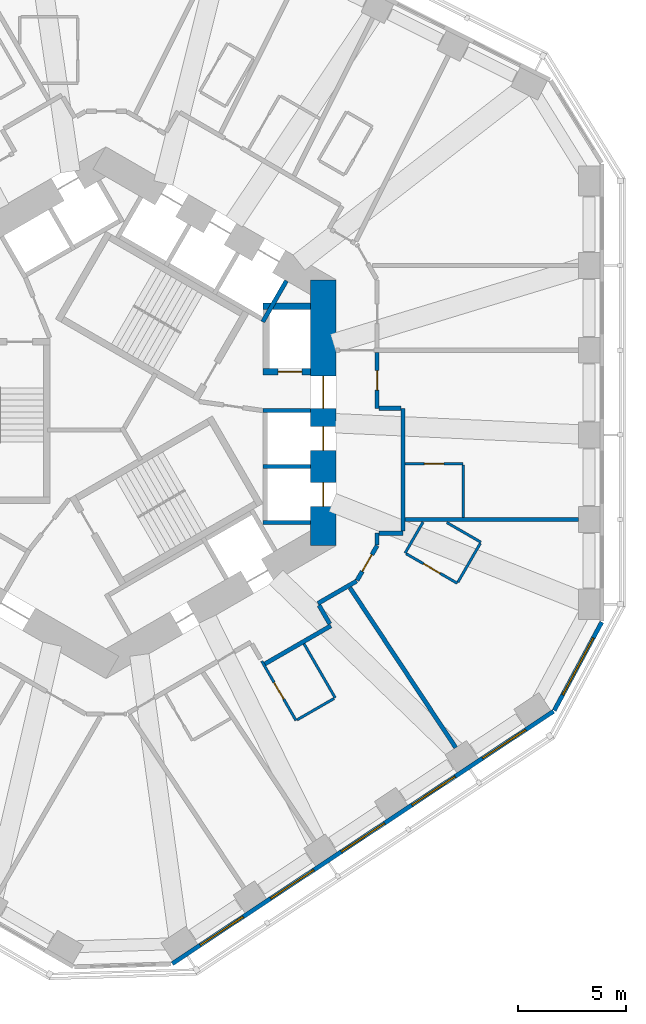
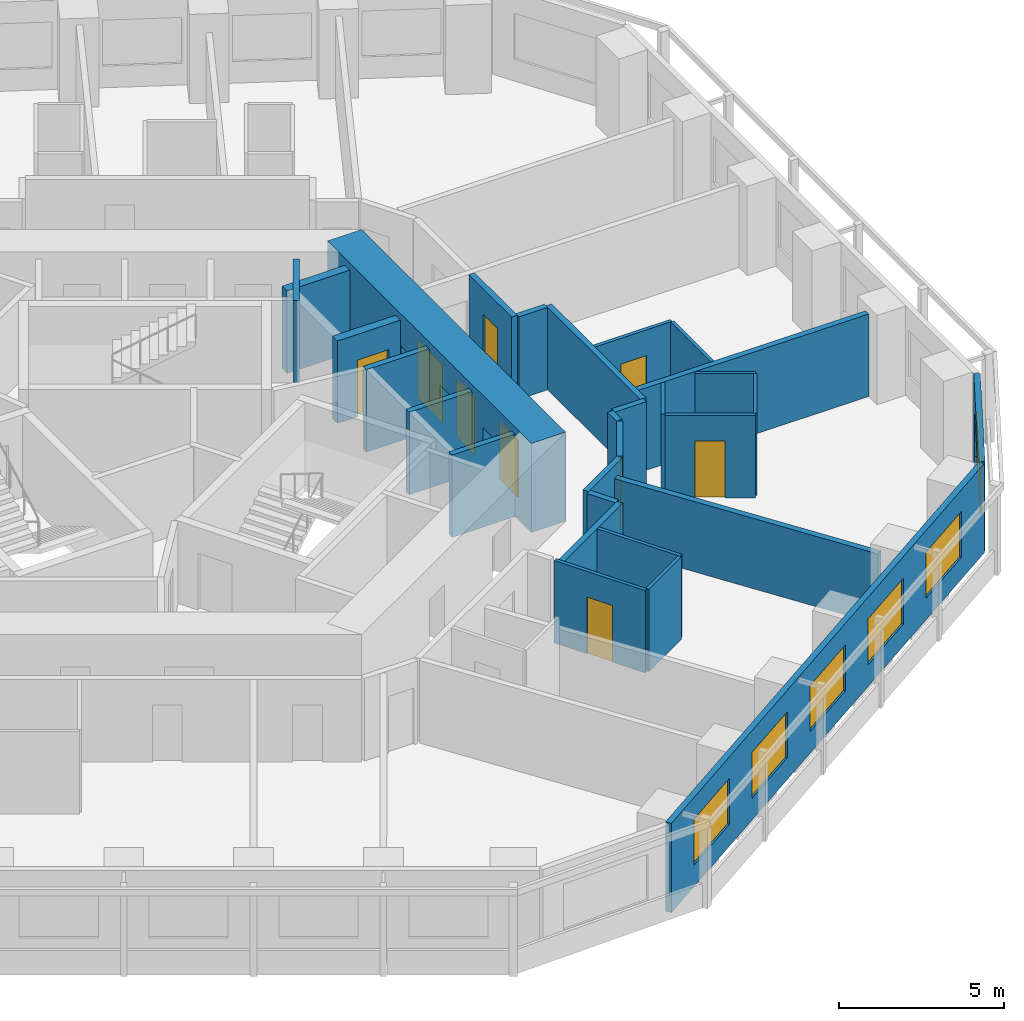
# One storey, part 6 of 12: 29 walls, 9 doors, 6 windows, 15 openings.
"""IFC4 building model written with IfcOpenShell, lengths in metres."""

from ifc_helpers import new_model, si_unit, direction, frame, frame_2d, origin, place, context, subcontext, project, spatial, rectangle, extrude, material, layer, layer_set, type_object, element, fill, save


model = new_model("IFC4")

# Units and contexts
model_context = context("Model", 3, precision=1e-05, world=origin(), true_north=direction((0.0, 1.0)))
body_context = subcontext(model_context, "Body", "Model", "MODEL_VIEW")
ifc_project = project(units=[si_unit("LENGTHUNIT", "METRE"), si_unit("AREAUNIT", "SQUARE_METRE"), si_unit("VOLUMEUNIT", "CUBIC_METRE"), si_unit("PLANEANGLEUNIT", "RADIAN"), si_unit("MASSUNIT", "GRAM", prefix="KILO")], contexts=[model_context])

# Site, building, storey
site_placement = place(None, origin())
site = spatial("IfcSite", under=ifc_project, at=site_placement, CompositionType="ELEMENT")
building_placement = place(site_placement, origin())
building = spatial("IfcBuilding", under=site, at=building_placement, Name="Vanh Sen Convention Tower", CompositionType="ELEMENT")
storey_placement = place(building_placement, frame((0.0, 0.0, 63.800048828125)))
storey = spatial("IfcBuildingStorey", under=building, at=storey_placement, Name="L13", CompositionType="ELEMENT", Elevation=63.800048828125)

# Wall, opening, door
ifc_material_1 = material(Name="Moisture-resistant gypsum board on steel studs", Category="steel")
ifc_layer_1 = layer(ifc_material_1, 0.1201171875)
ifc_layer_set_1 = layer_set([ifc_layer_1], Name="Moisture-resistant gypsum board on steel studs")
wall_type_1 = type_object("IfcWallType", Name="Bathroom partition 120", PredefinedType="PARTITIONING", material=ifc_layer_set_1)
wall_1_placement = place(storey_placement, frame((8.83251953125, -14.300537109375, 0.0), z_axis=(0.0, 0.0, 1.0), x_axis=(-0.499936836718, 0.866061868051, 0.0)))
wall_1 = element("IfcWall", 1, at=wall_1_placement, inside=storey, type_object=wall_type_1, Name="Bathroom partition 120", PredefinedType="PARTITIONING", context=body_context, shape_type="SweptSolid", body=[
    extrude(rectangle(XDim=3.1875, YDim=0.1201171875, at=frame_2d((1.59375, 0.0))), origin(), (0.0, 0.0, 1.0), 3.050048828125),
])
opening_1_placement = place(wall_1_placement, frame((1.143798828125, 0.0, 0.0)))
opening_1 = element("IfcOpeningElement", 2, at=opening_1_placement, cuts=wall_1, Name="Opening D13131", PredefinedType="OPENING", context=body_context, shape_type="SweptSolid", body=[
    extrude(rectangle(XDim=0.89990234375, YDim=2.10009765625, at=frame_2d((0.449951171875, 1.050048828125))), frame((0.0, 0.070068359375, 0.0), z_axis=(0.0, -1.0, 0.0), x_axis=(1.0, 0.0, 0.0)), (0.0, 0.0, 1.0), 0.14013671875),
])
ifc_material_2 = material(Name="Laminate door in steel frame", Category="steel")
door_type_1 = type_object("IfcDoorType", Name="En-suite door 900", OperationType="SINGLE_SWING_LEFT", PredefinedType="DOOR", material=ifc_material_2)
door_1_placement = place(opening_1_placement, origin())
door_1 = element("IfcDoor", 3, at=door_1_placement, inside=storey, type_object=door_type_1, Name="En-suite door D13131", OperationType="SINGLE_SWING_LEFT", OverallHeight=2.10009765625, OverallWidth=0.89990234375, PredefinedType="DOOR", context=body_context, shape_type="SweptSolid", body=[
    extrude(rectangle(XDim=0.89990234375, YDim=2.10009765625, at=frame_2d((0.449951171875, 1.050048828125))), frame((0.0, 0.02490234375, 0.0), z_axis=(0.0, -1.0, 0.0), x_axis=(1.0, 0.0, 0.0)), (0.0, 0.0, 1.0), 0.050048828125),
])
fill(opening_1, door_1)

# Walls
wall_2_placement = place(storey_placement, frame((9.202880859375, -10.738037109375, 0.0), z_axis=(0.0, 0.0, 1.0), x_axis=(0.50005036918, -0.865996321171, 0.0)))
element("IfcWall", 4, at=wall_2_placement, inside=storey, type_object=wall_type_1, Name="Bathroom partition 120", PredefinedType="PARTITIONING", context=body_context, shape_type="SweptSolid", body=[
    extrude(rectangle(XDim=2.900146484375, YDim=0.1201171875, at=frame_2d((1.4501953125, 0.0))), origin(), (0.0, 0.0, 1.0), 3.050048828125),
])
wall_3_placement = place(storey_placement, frame((10.60107421875, -13.279541015625, 0.0), z_axis=(0.0, 0.0, 1.0), x_axis=(-0.866044057189, -0.499967689963, 0.0)))
element("IfcWall", 5, at=wall_3_placement, inside=storey, type_object=wall_type_1, Name="Bathroom partition 120", PredefinedType="PARTITIONING", context=body_context, shape_type="SweptSolid", body=[
    extrude(rectangle(XDim=1.982177734375, YDim=0.1201171875, at=frame_2d((0.9912109375, 0.0))), origin(), (0.0, 0.0, 1.0), 3.050048828125),
])
wall_4_placement = place(storey_placement, frame((13.90087890625, -6.5244140625, 0.0), z_axis=(0.0, 0.0, 1.0), x_axis=(0.499964162598, 0.86604609353, 0.0)))
element("IfcWall", 6, at=wall_4_placement, inside=storey, type_object=wall_type_1, Name="Bathroom partition 120", PredefinedType="PARTITIONING", context=body_context, shape_type="SweptSolid", body=[
    extrude(rectangle(XDim=1.6611328125, YDim=0.1201171875, at=frame_2d((0.83056640625, 0.0))), origin(), (0.0, 0.0, 1.0), 3.050048828125),
])

# Wall, opening, door
wall_5_placement = place(storey_placement, frame((13.90087890625, -2.364501953125, 0.0), z_axis=(0.0, 0.0, 1.0), x_axis=(1.0, 0.0, 0.0)))
wall_5 = element("IfcWall", 7, at=wall_5_placement, inside=storey, type_object=wall_type_1, Name="Bathroom partition 120", PredefinedType="PARTITIONING", context=body_context, shape_type="SweptSolid", body=[
    extrude(rectangle(XDim=2.7001953125, YDim=0.1201171875, at=frame_2d((1.35009765625, 0.0))), origin(), (0.0, 0.0, 1.0), 3.050048828125),
])
opening_2_placement = place(wall_5_placement, frame((0.89990234375, 0.0, 0.0)))
opening_2 = element("IfcOpeningElement", 8, at=opening_2_placement, cuts=wall_5, Name="Opening D13102", PredefinedType="OPENING", context=body_context, shape_type="SweptSolid", body=[
    extrude(rectangle(XDim=0.89990234375, YDim=2.10009765625, at=frame_2d((0.449951171875, 1.050048828125))), frame((0.0, 0.070068359375, 0.0), z_axis=(0.0, -1.0, 0.0), x_axis=(1.0, 0.0, 0.0)), (0.0, 0.0, 1.0), 0.14013671875),
])
door_2_placement = place(opening_2_placement, origin())
door_2 = element("IfcDoor", 9, at=door_2_placement, inside=storey, type_object=door_type_1, Name="En-suite door D13102", OperationType="SINGLE_SWING_LEFT", OverallHeight=2.10009765625, OverallWidth=0.89990234375, PredefinedType="DOOR", context=body_context, shape_type="SweptSolid", body=[
    extrude(rectangle(XDim=0.89990234375, YDim=2.10009765625, at=frame_2d((0.449951171875, 1.050048828125))), frame((0.0, 0.02490234375, 0.0), z_axis=(0.0, -1.0, 0.0), x_axis=(1.0, 0.0, 0.0)), (0.0, 0.0, 1.0), 0.050048828125),
])
fill(opening_2, door_2)

# Wall
wall_6_placement = place(storey_placement, frame((15.84130859375, -5.1044921875, 0.0), z_axis=(0.0, 0.0, 1.0), x_axis=(0.866025591402, -0.499999675036, 0.0)))
element("IfcWall", 10, at=wall_6_placement, inside=storey, type_object=wall_type_1, Name="Bathroom partition 120", PredefinedType="PARTITIONING", context=body_context, shape_type="SweptSolid", body=[
    extrude(rectangle(XDim=1.82958984375, YDim=0.1201171875, at=frame_2d((0.914794921875, 0.0))), origin(), (0.0, 0.0, 1.0), 3.050048828125),
])

# Wall, opening, door
wall_7_placement = place(storey_placement, frame((16.32568359375, -7.924560546875, 0.0), z_axis=(0.0, 0.0, 1.0), x_axis=(-0.865997131366, 0.500048966069, 0.0)))
wall_7 = element("IfcWall", 11, at=wall_7_placement, inside=storey, type_object=wall_type_1, Name="Bathroom partition 120", PredefinedType="PARTITIONING", context=body_context, shape_type="SweptSolid", body=[
    extrude(rectangle(XDim=2.739990234375, YDim=0.1201171875, at=frame_2d((1.3701171875, 0.0))), origin(), (0.0, 0.0, 1.0), 3.050048828125),
])
opening_3_placement = place(wall_7_placement, frame((0.919921875, 0.0, 0.0)))
opening_3 = element("IfcOpeningElement", 12, at=opening_3_placement, cuts=wall_7, Name="Opening D13133", PredefinedType="OPENING", context=body_context, shape_type="SweptSolid", body=[
    extrude(rectangle(XDim=0.89990234375, YDim=2.10009765625, at=frame_2d((0.449951171875, 1.050048828125))), frame((0.0, 0.070068359375, 0.0), z_axis=(0.0, -1.0, 0.0), x_axis=(1.0, 0.0, 0.0)), (0.0, 0.0, 1.0), 0.14013671875),
])
door_3_placement = place(opening_3_placement, origin())
door_3 = element("IfcDoor", 13, at=door_3_placement, inside=storey, type_object=door_type_1, Name="En-suite door D13133", OperationType="SINGLE_SWING_LEFT", OverallHeight=2.10009765625, OverallWidth=0.89990234375, PredefinedType="DOOR", context=body_context, shape_type="SweptSolid", body=[
    extrude(rectangle(XDim=0.89990234375, YDim=2.10009765625, at=frame_2d((0.449951171875, 1.050048828125))), frame((0.0, 0.02490234375, 0.0), z_axis=(0.0, -1.0, 0.0), x_axis=(1.0, 0.0, 0.0)), (0.0, 0.0, 1.0), 0.050048828125),
])
fill(opening_3, door_3)

# Walls
wall_8_placement = place(storey_placement, frame((16.60107421875, -2.424560546875, 0.0), z_axis=(0.0, 0.0, 1.0), x_axis=(0.0, -1.0, 0.0)))
element("IfcWall", 14, at=wall_8_placement, inside=storey, type_object=wall_type_1, Name="Bathroom partition 120", PredefinedType="PARTITIONING", context=body_context, shape_type="SweptSolid", body=[
    extrude(rectangle(XDim=2.43994140625, YDim=0.1201171875, at=frame_2d((1.219970703125, 0.0))), origin(), (0.0, 0.0, 1.0), 3.050048828125),
])
wall_9_placement = place(storey_placement, frame((17.395751953125, -6.0712890625, 0.0), z_axis=(0.0, 0.0, 1.0), x_axis=(-0.500027264788, -0.866009661879, 0.0)))
element("IfcWall", 15, at=wall_9_placement, inside=storey, type_object=wall_type_1, Name="Bathroom partition 120", PredefinedType="PARTITIONING", context=body_context, shape_type="SweptSolid", body=[
    extrude(rectangle(XDim=2.080078125, YDim=0.1201171875, at=frame_2d((1.0400390625, 0.0))), origin(), (0.0, 0.0, 1.0), 3.050048828125),
])

# Wall, openings, doors
ifc_material_3 = material(Name="Concrete C80/95", Category="concrete")
ifc_layer_2 = layer(ifc_material_3, 1.199951171875)
ifc_layer_set_2 = layer_set([ifc_layer_2], Name="Concrete C80/95")
wall_type_2 = type_object("IfcWallType", Name="Core outer wall 1200 C80/95", PredefinedType="SHEAR", material=ifc_layer_set_2)
wall_10_placement = place(storey_placement, frame((10.10009765625, -6.177490234375, 0.0), z_axis=(0.0, 0.0, 1.0), x_axis=(0.0, 1.0, 0.0)))
wall_10 = element("IfcWall", 16, at=wall_10_placement, inside=storey, type_object=wall_type_2, Name="Core wall face E L13", PredefinedType="SHEAR", context=body_context, shape_type="SweptSolid", body=[
    extrude(rectangle(XDim=12.35498046875, YDim=1.199951171875, at=frame_2d((6.177490234375, 0.0))), origin(), (0.0, 0.0, 1.0), 3.300048828125),
])
opening_4_placement = place(wall_10_placement, frame((6.377685546875, 0.0, 0.0)))
opening_4 = element("IfcOpeningElement", 17, at=opening_4_placement, cuts=wall_10, Name="Opening D13001", PredefinedType="OPENING", context=body_context, shape_type="SweptSolid", body=[
    extrude(rectangle(XDim=1.5, YDim=2.10009765625, at=frame_2d((0.75, 1.050048828125))), frame((0.0, 0.60986328125, 0.0), z_axis=(0.0, -1.0, 0.0), x_axis=(1.0, 0.0, 0.0)), (0.0, 0.0, 1.0), 1.219970703125),
])
opening_5_placement = place(wall_10_placement, frame((1.82763671875, 0.0, 0.0)))
opening_5 = element("IfcOpeningElement", 18, at=opening_5_placement, cuts=wall_10, Name="Opening LD-LR1", PredefinedType="OPENING", context=body_context, shape_type="SweptSolid", body=[
    extrude(rectangle(XDim=1.10009765625, YDim=2.10009765625, at=frame_2d((0.550048828125, 1.050048828125))), frame((0.0, 0.60986328125, 0.0), z_axis=(0.0, -1.0, 0.0), x_axis=(1.0, 0.0, 0.0)), (0.0, 0.0, 1.0), 1.219970703125),
])
opening_6_placement = place(wall_10_placement, frame((4.427490234375, 0.0, 0.0)))
opening_6 = element("IfcOpeningElement", 19, at=opening_6_placement, cuts=wall_10, Name="Opening LD-LR2", PredefinedType="OPENING", context=body_context, shape_type="SweptSolid", body=[
    extrude(rectangle(XDim=1.10009765625, YDim=2.10009765625, at=frame_2d((0.550048828125, 1.050048828125))), frame((0.0, 0.60986328125, 0.0), z_axis=(0.0, -1.0, 0.0), x_axis=(1.0, 0.0, 0.0)), (0.0, 0.0, 1.0), 1.219970703125),
])
ifc_material_4 = material(Name="Stainless steel", Category="steel")
door_type_2 = type_object("IfcDoorType", Name="Lift landing door 1100", OperationType="DOUBLE_DOOR_SLIDING", PredefinedType="DOOR", material=ifc_material_4)
door_4_placement = place(opening_5_placement, origin())
door_4 = element("IfcDoor", 20, at=door_4_placement, inside=storey, type_object=door_type_2, Name="Lift LR1 landing door LD-LR1", OperationType="DOUBLE_DOOR_SLIDING", OverallHeight=2.10009765625, OverallWidth=1.10009765625, PredefinedType="DOOR", context=body_context, shape_type="SweptSolid", body=[
    extrude(rectangle(XDim=1.10009765625, YDim=2.10009765625, at=frame_2d((0.550048828125, 1.050048828125))), frame((0.0, 0.02490234375, 0.0), z_axis=(0.0, -1.0, 0.0), x_axis=(1.0, 0.0, 0.0)), (0.0, 0.0, 1.0), 0.050048828125),
])
fill(opening_5, door_4)
door_5_placement = place(opening_6_placement, origin())
door_5 = element("IfcDoor", 21, at=door_5_placement, inside=storey, type_object=door_type_2, Name="Lift LR2 landing door LD-LR2", OperationType="DOUBLE_DOOR_SLIDING", OverallHeight=2.10009765625, OverallWidth=1.10009765625, PredefinedType="DOOR", context=body_context, shape_type="SweptSolid", body=[
    extrude(rectangle(XDim=1.10009765625, YDim=2.10009765625, at=frame_2d((0.550048828125, 1.050048828125))), frame((0.0, 0.02490234375, 0.0), z_axis=(0.0, -1.0, 0.0), x_axis=(1.0, 0.0, 0.0)), (0.0, 0.0, 1.0), 0.050048828125),
])
fill(opening_6, door_5)
ifc_material_5 = material(Name="Steel S355", Category="steel")
door_type_3 = type_object("IfcDoorType", Name="Stair lobby door 1500", OperationType="DOUBLE_DOOR_SINGLE_SWING", PredefinedType="DOOR", material=ifc_material_5)
door_6_placement = place(opening_4_placement, origin())
door_6 = element("IfcDoor", 22, at=door_6_placement, inside=storey, type_object=door_type_3, Name="Stair lobby door D13001", OperationType="DOUBLE_DOOR_SINGLE_SWING", OverallHeight=2.10009765625, OverallWidth=1.5, PredefinedType="DOOR", context=body_context, shape_type="SweptSolid", body=[
    extrude(rectangle(XDim=1.5, YDim=2.10009765625, at=frame_2d((0.75, 1.050048828125))), frame((0.0, 0.02490234375, 0.0), z_axis=(0.0, -1.0, 0.0), x_axis=(1.0, 0.0, 0.0)), (0.0, 0.0, 1.0), 0.050048828125),
])
fill(opening_4, door_6)

# Walls
ifc_material_6 = material(Name="Gypsum board on steel studs with mineral wool", Category="steel")
ifc_layer_3 = layer(ifc_material_6, 0.199951171875)
ifc_layer_set_3 = layer_set([ifc_layer_3], Name="Gypsum board on steel studs with mineral wool")
wall_type_3 = type_object("IfcWallType", Name="Corridor partition wall 200", PredefinedType="PARTITIONING", material=ifc_layer_set_3)
wall_11_placement = place(storey_placement, frame((7.384521484375, -11.672607421875, 0.0), z_axis=(0.0, 0.0, 1.0), x_axis=(0.866037524642, 0.499979005472, 0.0)))
element("IfcWall", 23, at=wall_11_placement, inside=storey, type_object=wall_type_3, Name="Corridor partition wall 200", PredefinedType="PARTITIONING", context=body_context, shape_type="SweptSolid", body=[
    extrude(rectangle(XDim=3.542236328125, YDim=0.199951171875, at=frame_2d((1.77099609375, 0.0))), origin(), (0.0, 0.0, 1.0), 3.050048828125),
])
wall_12_placement = place(storey_placement, frame((9.8515625, -8.861328125, 0.0), z_axis=(0.0, 0.0, 1.0), x_axis=(0.866013291437, 0.500020978615, 0.0)))
element("IfcWall", 24, at=wall_12_placement, inside=storey, type_object=wall_type_3, Name="Corridor partition wall 200", PredefinedType="PARTITIONING", context=body_context, shape_type="SweptSolid", body=[
    extrude(rectangle(XDim=2.07666015625, YDim=0.199951171875, at=frame_2d((1.038330078125, 0.0))), origin(), (0.0, 0.0, 1.0), 3.050048828125),
])
wall_13_placement = place(storey_placement, frame((10.402099609375, -9.81494140625, 0.0), z_axis=(0.0, 0.0, 1.0), x_axis=(-0.499968756647, 0.866043441391, 0.0)))
element("IfcWall", 25, at=wall_13_placement, inside=storey, type_object=wall_type_3, Name="Corridor partition wall 200", PredefinedType="PARTITIONING", context=body_context, shape_type="SweptSolid", body=[
    extrude(rectangle(XDim=1.0009765625, YDim=0.199951171875, at=frame_2d((0.50048828125, 0.0))), origin(), (0.0, 0.0, 1.0), 3.050048828125),
])

# Wall, opening, door
wall_14_placement = place(storey_placement, frame((11.669921875, -7.788330078125, 0.0), z_axis=(0.0, 0.0, 1.0), x_axis=(0.500063286585, 0.865988862174, 0.0)))
wall_14 = element("IfcWall", 26, at=wall_14_placement, inside=storey, type_object=wall_type_3, Name="Corridor partition wall 200", PredefinedType="PARTITIONING", context=body_context, shape_type="SweptSolid", body=[
    extrude(rectangle(XDim=1.860107421875, YDim=0.199951171875, at=frame_2d((0.93017578125, 0.0))), origin(), (0.0, 0.0, 1.0), 3.050048828125),
])
opening_7_placement = place(wall_14_placement, frame((0.47998046875, 0.0, 0.0)))
opening_7 = element("IfcOpeningElement", 27, at=opening_7_placement, cuts=wall_14, Name="Opening D13132", PredefinedType="OPENING", context=body_context, shape_type="SweptSolid", body=[
    extrude(rectangle(XDim=0.89990234375, YDim=2.10009765625, at=frame_2d((0.449951171875, 1.050048828125))), frame((0.0, 0.10986328125, 0.0), z_axis=(0.0, -1.0, 0.0), x_axis=(1.0, 0.0, 0.0)), (0.0, 0.0, 1.0), 0.219970703125),
])
ifc_material_7 = material(Name="Timber fire door in steel frame", Category="steel")
door_type_4 = type_object("IfcDoorType", Name="Guest room door 900", OperationType="SINGLE_SWING_LEFT", PredefinedType="DOOR", material=ifc_material_7)
door_7_placement = place(opening_7_placement, origin())
door_7 = element("IfcDoor", 28, at=door_7_placement, inside=storey, type_object=door_type_4, Name="Hotel guest room door D13132", OperationType="SINGLE_SWING_LEFT", OverallHeight=2.10009765625, OverallWidth=0.89990234375, PredefinedType="DOOR", context=body_context, shape_type="SweptSolid", body=[
    extrude(rectangle(XDim=0.89990234375, YDim=2.10009765625, at=frame_2d((0.449951171875, 1.050048828125))), frame((0.0, 0.02490234375, 0.0), z_axis=(0.0, -1.0, 0.0), x_axis=(1.0, 0.0, 0.0)), (0.0, 0.0, 1.0), 0.050048828125),
])
fill(opening_7, door_7)

# Wall
wall_15_placement = place(storey_placement, frame((12.60009765625, -6.1376953125, 0.0), z_axis=(0.0, 0.0, 1.0), x_axis=(0.0, 1.0, 0.0)))
element("IfcWall", 29, at=wall_15_placement, inside=storey, type_object=wall_type_3, Name="Corridor partition wall 200", PredefinedType="PARTITIONING", context=body_context, shape_type="SweptSolid", body=[
    extrude(rectangle(XDim=0.53662109375, YDim=0.199951171875, at=frame_2d((0.268310546875, 0.0))), origin(), (0.0, 0.0, 1.0), 3.050048828125),
])

# Wall, opening, door
wall_16_placement = place(storey_placement, frame((12.60009765625, 0.200927734375, 0.0), z_axis=(0.0, 0.0, 1.0), x_axis=(0.0, 1.0, 0.0)))
wall_16 = element("IfcWall", 30, at=wall_16_placement, inside=storey, type_object=wall_type_3, Name="Corridor partition wall 200", PredefinedType="PARTITIONING", context=body_context, shape_type="SweptSolid", body=[
    extrude(rectangle(XDim=2.603515625, YDim=0.199951171875, at=frame_2d((1.3017578125, 0.0))), origin(), (0.0, 0.0, 1.0), 3.050048828125),
])
opening_8_placement = place(wall_16_placement, frame((0.851806640625, 0.0, 0.0)))
opening_8 = element("IfcOpeningElement", 31, at=opening_8_placement, cuts=wall_16, Name="Opening D13101", PredefinedType="OPENING", context=body_context, shape_type="SweptSolid", body=[
    extrude(rectangle(XDim=0.89990234375, YDim=2.10009765625, at=frame_2d((0.449951171875, 1.050048828125))), frame((0.0, 0.10986328125, 0.0), z_axis=(0.0, -1.0, 0.0), x_axis=(1.0, 0.0, 0.0)), (0.0, 0.0, 1.0), 0.219970703125),
])
door_8_placement = place(opening_8_placement, origin())
door_8 = element("IfcDoor", 32, at=door_8_placement, inside=storey, type_object=door_type_4, Name="Hotel guest room door D13101", OperationType="SINGLE_SWING_LEFT", OverallHeight=2.10009765625, OverallWidth=0.89990234375, PredefinedType="DOOR", context=body_context, shape_type="SweptSolid", body=[
    extrude(rectangle(XDim=0.89990234375, YDim=2.10009765625, at=frame_2d((0.449951171875, 1.050048828125))), frame((0.0, 0.02490234375, 0.0), z_axis=(0.0, -1.0, 0.0), x_axis=(1.0, 0.0, 0.0)), (0.0, 0.0, 1.0), 0.050048828125),
])
fill(opening_8, door_8)

# Walls
wall_17_placement = place(storey_placement, frame((12.699951171875, -5.60107421875, 0.0), z_axis=(0.0, 0.0, 1.0), x_axis=(1.0, 0.0, 0.0)))
element("IfcWall", 33, at=wall_17_placement, inside=storey, type_object=wall_type_3, Name="Corridor partition wall 200", PredefinedType="PARTITIONING", context=body_context, shape_type="SweptSolid", body=[
    extrude(rectangle(XDim=1.10107421875, YDim=0.199951171875, at=frame_2d((0.550537109375, 0.0))), origin(), (0.0, 0.0, 1.0), 3.050048828125),
])
wall_18_placement = place(storey_placement, frame((13.700927734375, 0.200927734375, 0.0), z_axis=(0.0, 0.0, 1.0), x_axis=(-1.0, 0.0, 0.0)))
element("IfcWall", 34, at=wall_18_placement, inside=storey, type_object=wall_type_3, Name="Corridor partition wall 200", PredefinedType="PARTITIONING", context=body_context, shape_type="SweptSolid", body=[
    extrude(rectangle(XDim=1.0009765625, YDim=0.199951171875, at=frame_2d((0.50048828125, 0.0))), origin(), (0.0, 0.0, 1.0), 3.050048828125),
])
wall_19_placement = place(storey_placement, frame((13.801025390625, -5.5009765625, 0.0), z_axis=(0.0, 0.0, 1.0), x_axis=(0.0, 1.0, 0.0)))
element("IfcWall", 35, at=wall_19_placement, inside=storey, type_object=wall_type_3, Name="Corridor partition wall 200", PredefinedType="PARTITIONING", context=body_context, shape_type="SweptSolid", body=[
    extrude(rectangle(XDim=5.701904296875, YDim=0.199951171875, at=frame_2d((2.85107421875, 0.0))), origin(), (0.0, 0.0, 1.0), 3.050048828125),
])

# Wall, openings, windows
ifc_material_8 = material(Name="Insulated lightweight infill wall")
ifc_layer_4 = layer(ifc_material_8, 0.199951171875)
ifc_layer_set_4 = layer_set([ifc_layer_4], Name="Insulated lightweight infill wall")
wall_type_4 = type_object("IfcWallType", Name="External wall 200", PredefinedType="STANDARD", material=ifc_layer_set_4)
wall_20_placement = place(storey_placement, frame((3.0830078125, -25.60107421875, 0.0), z_axis=(0.0, 0.0, 1.0), x_axis=(0.833884295743, 0.551939291329, 0.0)))
wall_20 = element("IfcWall", 36, at=wall_20_placement, inside=storey, type_object=wall_type_4, Name="External wall SE L13", PredefinedType="STANDARD", context=body_context, shape_type="SweptSolid", body=[
    extrude(rectangle(XDim=21.24609375, YDim=0.199951171875, at=frame_2d((10.623046875, 0.0))), origin(), (0.0, 0.0, 1.0), 3.300048828125),
])
opening_9_placement = place(wall_20_placement, frame((1.552978515625, 0.0, 0.800048828125)))
opening_9 = element("IfcOpeningElement", 37, at=opening_9_placement, cuts=wall_20, Name="Opening WH1-SE1", PredefinedType="OPENING", context=body_context, shape_type="SweptSolid", body=[
    extrude(rectangle(XDim=2.39990234375, YDim=1.699951171875, at=frame_2d((1.199951171875, 0.85009765625))), frame((0.0, 0.10986328125, 0.0), z_axis=(0.0, -1.0, 0.0), x_axis=(1.0, 0.0, 0.0)), (0.0, 0.0, 1.0), 0.219970703125),
])
opening_10_placement = place(wall_20_placement, frame((5.487548828125, 0.0, 0.800048828125)))
opening_10 = element("IfcOpeningElement", 38, at=opening_10_placement, cuts=wall_20, Name="Opening WH1-SE2", PredefinedType="OPENING", context=body_context, shape_type="SweptSolid", body=[
    extrude(rectangle(XDim=2.39990234375, YDim=1.699951171875, at=frame_2d((1.199951171875, 0.85009765625))), frame((0.0, 0.10986328125, 0.0), z_axis=(0.0, -1.0, 0.0), x_axis=(1.0, 0.0, 0.0)), (0.0, 0.0, 1.0), 0.219970703125),
])
opening_11_placement = place(wall_20_placement, frame((9.422119140625, 0.0, 0.800048828125)))
opening_11 = element("IfcOpeningElement", 39, at=opening_11_placement, cuts=wall_20, Name="Opening WH1-SE3", PredefinedType="OPENING", context=body_context, shape_type="SweptSolid", body=[
    extrude(rectangle(XDim=2.39990234375, YDim=1.699951171875, at=frame_2d((1.199951171875, 0.85009765625))), frame((0.0, 0.10986328125, 0.0), z_axis=(0.0, -1.0, 0.0), x_axis=(1.0, 0.0, 0.0)), (0.0, 0.0, 1.0), 0.219970703125),
])
opening_12_placement = place(wall_20_placement, frame((13.356689453125, 0.0, 0.800048828125)))
opening_12 = element("IfcOpeningElement", 40, at=opening_12_placement, cuts=wall_20, Name="Opening WH1-SE4", PredefinedType="OPENING", context=body_context, shape_type="SweptSolid", body=[
    extrude(rectangle(XDim=2.39990234375, YDim=1.699951171875, at=frame_2d((1.199951171875, 0.85009765625))), frame((0.0, 0.10986328125, 0.0), z_axis=(0.0, -1.0, 0.0), x_axis=(1.0, 0.0, 0.0)), (0.0, 0.0, 1.0), 0.219970703125),
])
opening_13_placement = place(wall_20_placement, frame((17.291259765625, 0.0, 0.800048828125)))
opening_13 = element("IfcOpeningElement", 41, at=opening_13_placement, cuts=wall_20, Name="Opening WH1-SE5", PredefinedType="OPENING", context=body_context, shape_type="SweptSolid", body=[
    extrude(rectangle(XDim=2.39990234375, YDim=1.699951171875, at=frame_2d((1.199951171875, 0.85009765625))), frame((0.0, 0.10986328125, 0.0), z_axis=(0.0, -1.0, 0.0), x_axis=(1.0, 0.0, 0.0)), (0.0, 0.0, 1.0), 0.219970703125),
])
ifc_material_9 = material(Name="Aluminium frame with clear low-emissivity glass", Category="aluminium")
window_type_1 = type_object("IfcWindowType", Name="Hotel window 2400 x 1700", PartitioningType="SINGLE_PANEL", PredefinedType="WINDOW", material=ifc_material_9)
window_1_placement = place(opening_9_placement, origin())
window_1 = element("IfcWindow", 42, at=window_1_placement, inside=storey, type_object=window_type_1, Name="Window WH1-SE1", OverallHeight=1.699951171875, OverallWidth=2.39990234375, PartitioningType="SINGLE_PANEL", PredefinedType="WINDOW", context=body_context, shape_type="SweptSolid", body=[
    extrude(rectangle(XDim=2.39990234375, YDim=1.699951171875, at=frame_2d((1.199951171875, 0.85009765625))), frame((0.0, 0.030029296875, 0.0), z_axis=(0.0, -1.0, 0.0), x_axis=(1.0, 0.0, 0.0)), (0.0, 0.0, 1.0), 0.06005859375),
])
fill(opening_9, window_1)
window_2_placement = place(opening_10_placement, origin())
window_2 = element("IfcWindow", 43, at=window_2_placement, inside=storey, type_object=window_type_1, Name="Window WH1-SE2", OverallHeight=1.699951171875, OverallWidth=2.39990234375, PartitioningType="SINGLE_PANEL", PredefinedType="WINDOW", context=body_context, shape_type="SweptSolid", body=[
    extrude(rectangle(XDim=2.39990234375, YDim=1.699951171875, at=frame_2d((1.199951171875, 0.85009765625))), frame((0.0, 0.030029296875, 0.0), z_axis=(0.0, -1.0, 0.0), x_axis=(1.0, 0.0, 0.0)), (0.0, 0.0, 1.0), 0.06005859375),
])
fill(opening_10, window_2)
window_3_placement = place(opening_11_placement, origin())
window_3 = element("IfcWindow", 44, at=window_3_placement, inside=storey, type_object=window_type_1, Name="Window WH1-SE3", OverallHeight=1.699951171875, OverallWidth=2.39990234375, PartitioningType="SINGLE_PANEL", PredefinedType="WINDOW", context=body_context, shape_type="SweptSolid", body=[
    extrude(rectangle(XDim=2.39990234375, YDim=1.699951171875, at=frame_2d((1.199951171875, 0.85009765625))), frame((0.0, 0.030029296875, 0.0), z_axis=(0.0, -1.0, 0.0), x_axis=(1.0, 0.0, 0.0)), (0.0, 0.0, 1.0), 0.06005859375),
])
fill(opening_11, window_3)
window_4_placement = place(opening_12_placement, origin())
window_4 = element("IfcWindow", 45, at=window_4_placement, inside=storey, type_object=window_type_1, Name="Window WH1-SE4", OverallHeight=1.699951171875, OverallWidth=2.39990234375, PartitioningType="SINGLE_PANEL", PredefinedType="WINDOW", context=body_context, shape_type="SweptSolid", body=[
    extrude(rectangle(XDim=2.39990234375, YDim=1.699951171875, at=frame_2d((1.199951171875, 0.85009765625))), frame((0.0, 0.030029296875, 0.0), z_axis=(0.0, -1.0, 0.0), x_axis=(1.0, 0.0, 0.0)), (0.0, 0.0, 1.0), 0.06005859375),
])
fill(opening_12, window_4)
window_5_placement = place(opening_13_placement, origin())
window_5 = element("IfcWindow", 46, at=window_5_placement, inside=storey, type_object=window_type_1, Name="Window WH1-SE5", OverallHeight=1.699951171875, OverallWidth=2.39990234375, PartitioningType="SINGLE_PANEL", PredefinedType="WINDOW", context=body_context, shape_type="SweptSolid", body=[
    extrude(rectangle(XDim=2.39990234375, YDim=1.699951171875, at=frame_2d((1.199951171875, 0.85009765625))), frame((0.0, 0.030029296875, 0.0), z_axis=(0.0, -1.0, 0.0), x_axis=(1.0, 0.0, 0.0)), (0.0, 0.0, 1.0), 0.06005859375),
])
fill(opening_13, window_5)

# Wall, opening, window
wall_21_placement = place(storey_placement, frame((20.83251953125, -13.838623046875, 0.0), z_axis=(0.0, 0.0, 1.0), x_axis=(0.473321668581, 0.880889662813, 0.0)))
wall_21 = element("IfcWall", 47, at=wall_21_placement, inside=storey, type_object=wall_type_4, Name="External wall CH6 L13", PredefinedType="STANDARD", context=body_context, shape_type="SweptSolid", body=[
    extrude(rectangle(XDim=4.65966796875, YDim=0.199951171875, at=frame_2d((2.329833984375, 0.0))), origin(), (0.0, 0.0, 1.0), 3.300048828125),
])
opening_14_placement = place(wall_21_placement, frame((0.829833984375, 0.0, 0.800048828125)))
opening_14 = element("IfcOpeningElement", 48, at=opening_14_placement, cuts=wall_21, Name="Opening WH2-CH61", PredefinedType="OPENING", context=body_context, shape_type="SweptSolid", body=[
    extrude(rectangle(XDim=3.0, YDim=1.699951171875, at=frame_2d((1.5, 0.85009765625))), frame((0.0, 0.10986328125, 0.0), z_axis=(0.0, -1.0, 0.0), x_axis=(1.0, 0.0, 0.0)), (0.0, 0.0, 1.0), 0.219970703125),
])
window_type_2 = type_object("IfcWindowType", Name="Hotel window 3000 x 1700", PartitioningType="SINGLE_PANEL", PredefinedType="WINDOW", material=ifc_material_9)
window_6_placement = place(opening_14_placement, origin())
window_6 = element("IfcWindow", 49, at=window_6_placement, inside=storey, type_object=window_type_2, Name="Window WH2-CH61", OverallHeight=1.699951171875, OverallWidth=3.0, PartitioningType="SINGLE_PANEL", PredefinedType="WINDOW", context=body_context, shape_type="SweptSolid", body=[
    extrude(rectangle(XDim=3.0, YDim=1.699951171875, at=frame_2d((1.5, 0.85009765625))), frame((0.0, 0.030029296875, 0.0), z_axis=(0.0, -1.0, 0.0), x_axis=(1.0, 0.0, 0.0)), (0.0, 0.0, 1.0), 0.06005859375),
])
fill(opening_14, window_6)

# Wall, opening, door
ifc_material_10 = material(Name="Concrete C60/75", Category="concrete")
ifc_layer_5 = layer(ifc_material_10, 0.300048828125)
ifc_layer_set_5 = layer_set([ifc_layer_5], Name="Concrete C60/75")
wall_type_5 = type_object("IfcWallType", Name="Fire-fighting lift shaft wall 300", PredefinedType="SHEAR", material=ifc_layer_set_5)
wall_22_placement = place(storey_placement, frame((7.300048828125, 1.89990234375, 0.0), z_axis=(0.0, 0.0, 1.0), x_axis=(1.0, 0.0, 0.0)))
wall_22 = element("IfcWall", 50, at=wall_22_placement, inside=storey, type_object=wall_type_5, Name="Fire-fighting lift shaft wall L13", PredefinedType="SHEAR", context=body_context, shape_type="SweptSolid", body=[
    extrude(rectangle(XDim=2.199951171875, YDim=0.300048828125, at=frame_2d((1.10009765625, 0.0))), origin(), (0.0, 0.0, 1.0), 3.050048828125),
])
opening_15_placement = place(wall_22_placement, frame((0.699951171875, 0.0, 0.0)))
opening_15 = element("IfcOpeningElement", 51, at=opening_15_placement, cuts=wall_22, Name="Opening LD-FF1", PredefinedType="OPENING", context=body_context, shape_type="SweptSolid", body=[
    extrude(rectangle(XDim=1.10009765625, YDim=2.10009765625, at=frame_2d((0.550048828125, 1.050048828125))), frame((0.0, 0.159912109375, 0.0), z_axis=(0.0, -1.0, 0.0), x_axis=(1.0, 0.0, 0.0)), (0.0, 0.0, 1.0), 0.320068359375),
])
door_type_5 = type_object("IfcDoorType", Name="Fire-fighting lift landing door 1100", OperationType="DOUBLE_DOOR_SLIDING", PredefinedType="DOOR", material=ifc_material_4)
door_9_placement = place(opening_15_placement, origin())
door_9 = element("IfcDoor", 52, at=door_9_placement, inside=storey, type_object=door_type_5, Name="Lift FF1 landing door LD-FF1", OperationType="DOUBLE_DOOR_SLIDING", OverallHeight=2.10009765625, OverallWidth=1.10009765625, PredefinedType="DOOR", context=body_context, shape_type="SweptSolid", body=[
    extrude(rectangle(XDim=1.10009765625, YDim=2.10009765625, at=frame_2d((0.550048828125, 1.050048828125))), frame((0.0, 0.02490234375, 0.0), z_axis=(0.0, -1.0, 0.0), x_axis=(1.0, 0.0, 0.0)), (0.0, 0.0, 1.0), 0.050048828125),
])
fill(opening_15, door_9)

# Walls
wall_23_placement = place(storey_placement, frame((7.300048828125, 4.949951171875, 0.0), z_axis=(0.0, 0.0, 1.0), x_axis=(1.0, 0.0, 0.0)))
element("IfcWall", 53, at=wall_23_placement, inside=storey, type_object=wall_type_5, Name="Fire-fighting lift shaft wall L13", PredefinedType="SHEAR", context=body_context, shape_type="SweptSolid", body=[
    extrude(rectangle(XDim=2.199951171875, YDim=0.300048828125, at=frame_2d((1.10009765625, 0.0))), origin(), (0.0, 0.0, 1.0), 3.050048828125),
])
ifc_layer_6 = layer(ifc_material_6, 0.199951171875)
ifc_layer_set_6 = layer_set([ifc_layer_6], Name="Gypsum board on steel studs with mineral wool")
wall_type_6 = type_object("IfcWallType", Name="Hotel party wall 200", PredefinedType="PARTITIONING", material=ifc_layer_set_6)
wall_24_placement = place(storey_placement, frame((13.90087890625, -4.964599609375, 0.0), z_axis=(0.0, 0.0, 1.0), x_axis=(1.0, 0.0, 0.0)))
element("IfcWall", 54, at=wall_24_placement, inside=storey, type_object=wall_type_6, Name="Hotel party wall 200", PredefinedType="PARTITIONING", context=body_context, shape_type="SweptSolid", body=[
    extrude(rectangle(XDim=8.049072265625, YDim=0.199951171875, at=frame_2d((4.0244140625, 0.0))), origin(), (0.0, 0.0, 1.0), 3.050048828125),
])
wall_25_placement = place(storey_placement, frame((16.2548828125, -15.563720703125, 0.0), z_axis=(0.0, 0.0, 1.0), x_axis=(-0.55192208744, 0.833895682562, 0.0)))
element("IfcWall", 55, at=wall_25_placement, inside=storey, type_object=wall_type_6, Name="Hotel party wall 200", PredefinedType="PARTITIONING", context=body_context, shape_type="SweptSolid", body=[
    extrude(rectangle(XDim=8.912841796875, YDim=0.199951171875, at=frame_2d((4.45654296875, 0.0))), origin(), (0.0, 0.0, 1.0), 2.599853515625),
])
ifc_material_11 = material(Name="Concrete C40/50", Category="concrete")
ifc_layer_7 = layer(ifc_material_11, 0.199951171875)
ifc_layer_set_7 = layer_set([ifc_layer_7], Name="Concrete C40/50")
wall_type_7 = type_object("IfcWallType", Name="Lift shaft wall 200", PredefinedType="PARTITIONING", material=ifc_layer_set_7)
for number, where, z_axis, x_axis, name in (
    (56, (7.300048828125, -5.10009765625, 0.0), (0.0, 0.0, 1.0), (1.0, 0.0, 0.0), "Lift shaft wall L13"),
    (57, (7.300048828125, -2.5, 0.0), (0.0, 0.0, 1.0), (1.0, 0.0, 0.0), "Lift shaft wall L13"),
    (58, (7.300048828125, 0.10009765625, 0.0), (0.0, 0.0, 1.0), (1.0, 0.0, 0.0), "Lift shaft wall L13"),
    (59, (7.287353515625, 4.221923828125, 0.0), (0.0, 0.0, 1.0), (0.499946605688, 0.86605622881, 0.0), "Lift shaft wall L13"),
):
    element("IfcWall", number, at=place(storey_placement, frame(where, z_axis=z_axis, x_axis=x_axis)), inside=storey, type_object=wall_type_7, Name=name, PredefinedType="PARTITIONING", context=body_context, shape_type="SweptSolid", body=[
        extrude(rectangle(XDim=2.199951171875, YDim=0.199951171875, at=frame_2d((1.10009765625, 0.0))), origin(), (0.0, 0.0, 1.0), 3.050048828125),
    ])

save(model, "model.ifc")
